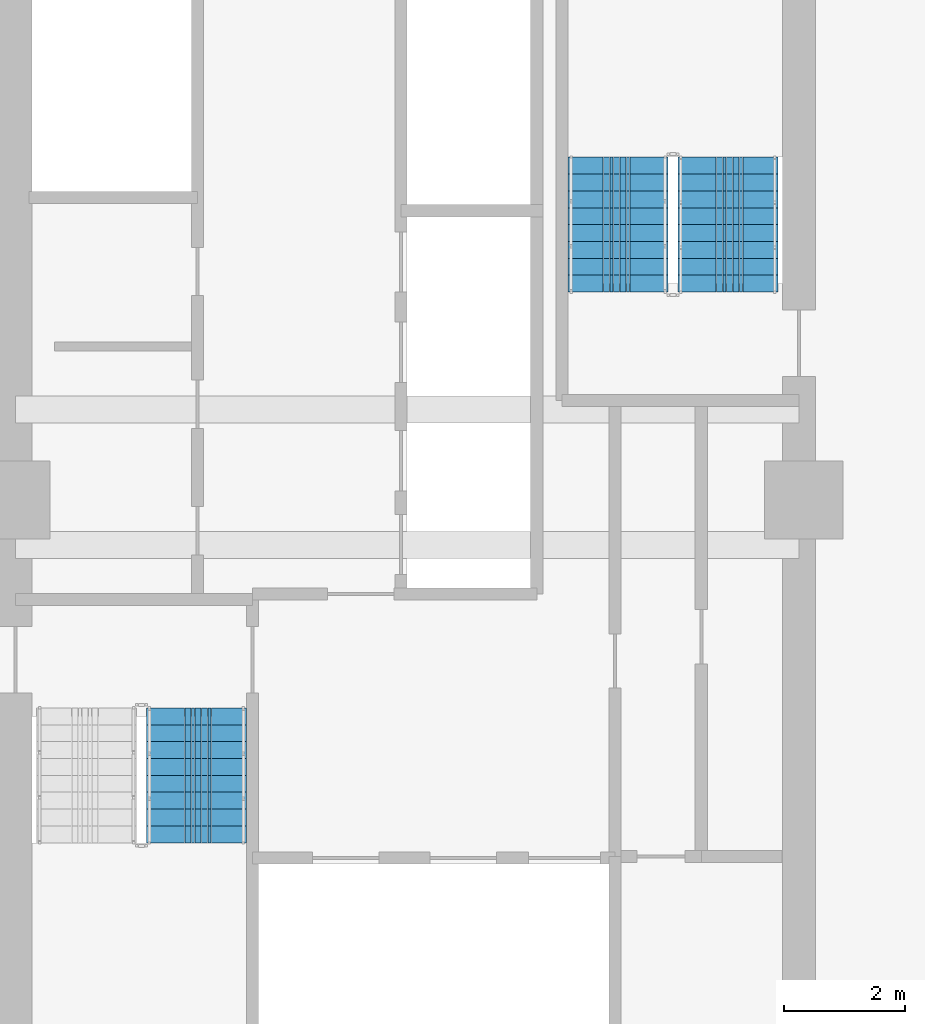
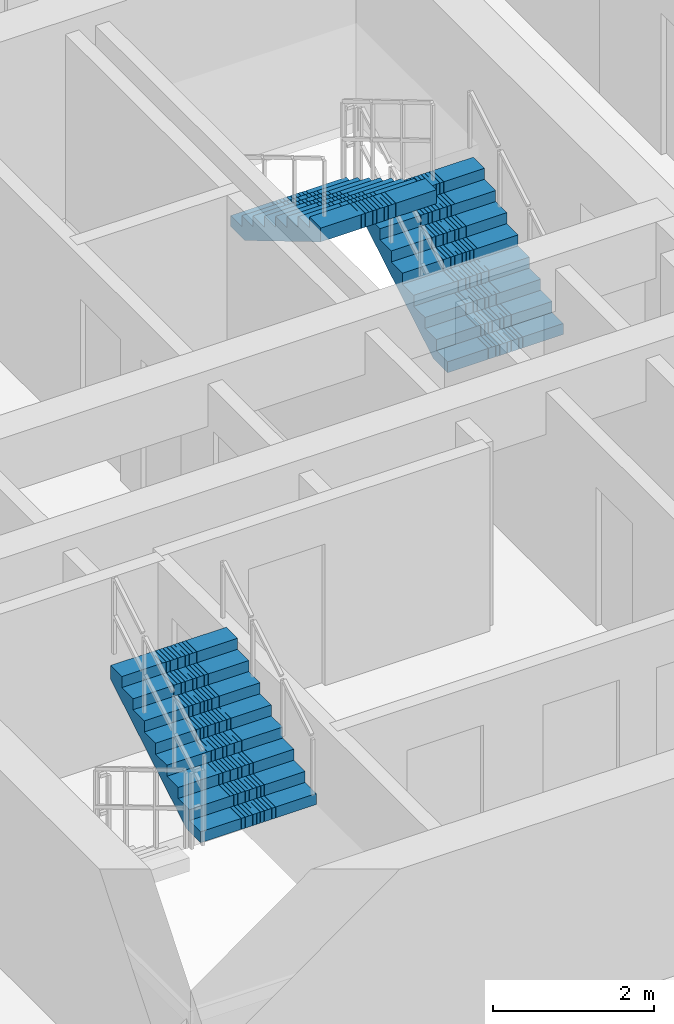
# One storey, part 9 of 13: 3 stair flights, 2 elements without a shape of their own.
"""IFC4 building model written with IfcOpenShell, lengths in metres."""

from ifc_helpers import new_model, si_unit, direction, frame, origin, place, context, subcontext, project, spatial, polyline, outline, extrude, material, type_object, element, aggregate, save


model = new_model("IFC4")

# Units and contexts
model_context = context("Model", 3, precision=1e-05, world=origin(), true_north=direction((0.0, 1.0)))
body_context = subcontext(model_context, "Body", "Model", "MODEL_VIEW")
ifc_project = project(units=[si_unit("LENGTHUNIT", "METRE"), si_unit("AREAUNIT", "SQUARE_METRE"), si_unit("VOLUMEUNIT", "CUBIC_METRE"), si_unit("PLANEANGLEUNIT", "RADIAN"), si_unit("MASSUNIT", "GRAM", prefix="KILO")], contexts=[model_context])

# Site, building, storey
site_placement = place(None, origin())
site = spatial("IfcSite", under=ifc_project, at=site_placement, CompositionType="ELEMENT")
building_placement = place(site_placement, origin())
building = spatial("IfcBuilding", under=site, at=building_placement, Name="Saelheon Loggia Tower", CompositionType="ELEMENT")
storey_placement = place(building_placement, frame((0.0, 0.0, 104.85009765625)))
storey = spatial("IfcBuildingStorey", under=building, at=storey_placement, Name="L33", CompositionType="ELEMENT", Elevation=104.85009765625)

# Stair, stair flight
ifc_material = material(Name="Concrete C40/50", Category="concrete")
stair_type = type_object("IfcStairType", Name="Stair_Escape_Core", PredefinedType="HALF_TURN_STAIR", material=ifc_material)
stair_1_placement = place(storey_placement, origin())
stair_1 = element("IfcStair", 1, at=stair_1_placement, inside=storey, type_object=stair_type, Name="L33 Special Escape Stair ST1", PredefinedType="HALF_TURN_STAIR")
stair_flight_type = type_object("IfcStairFlightType", Name="StairFlight_Tower_1660", PredefinedType="STRAIGHT", material=ifc_material)
stair_flight_1_placement = place(storey_placement, frame((34.5, 21.31005859375, 1.5), z_axis=(0.0, 0.0, 1.0), x_axis=(0.0, 1.0, 0.0)))
stair_flight_1 = element("IfcStairFlight", 2, at=stair_flight_1_placement, type_object=stair_flight_type, Name="ST1 flight 2", NumberOfRisers=9, NumberOfTreads=8, PredefinedType="STRAIGHT", RiserHeight=0.166666667, TreadLength=0.28, context=body_context, shape_type="SweptSolid", body=[
    extrude(outline(polyline([(0.0, 0.0), (0.0, 0.166748046875), (0.280029296875, 0.166748046875), (0.280029296875, 0.333251953125), (0.56005859375, 0.333251953125), (0.56005859375, 0.5), (0.840087890625, 0.5), (0.840087890625, 0.666748046875), (1.1201171875, 0.666748046875), (1.1201171875, 0.833251953125), (1.39990234375, 0.833251953125), (1.39990234375, 1.0), (1.679931640625, 1.0), (1.679931640625, 1.166748046875), (1.9599609375, 1.166748046875), (1.9599609375, 1.333251953125), (2.239990234375, 1.333251953125), (2.239990234375, 1.5), (2.239990234375, 1.1240234375), (0.351806640625, 0.0), (0.0, 0.0)])), frame((0.0, -0.2490234375, 0.0), z_axis=(0.0, -1.0, 0.0), x_axis=(1.0, 0.0, 0.0)), (0.0, 0.0, 1.0), 0.5810546875),
    extrude(outline(polyline([(0.0, 0.0), (0.0, 0.166748046875), (0.280029296875, 0.166748046875), (0.280029296875, 0.333251953125), (0.56005859375, 0.333251953125), (0.56005859375, 0.5), (0.840087890625, 0.5), (0.840087890625, 0.666748046875), (1.1201171875, 0.666748046875), (1.1201171875, 0.833251953125), (1.39990234375, 0.833251953125), (1.39990234375, 1.0), (1.679931640625, 1.0), (1.679931640625, 1.166748046875), (1.9599609375, 1.166748046875), (1.9599609375, 1.333251953125), (2.239990234375, 1.333251953125), (2.239990234375, 1.5), (2.239990234375, 1.1240234375), (0.351806640625, 0.0), (0.0, 0.0)])), frame((0.0, -0.194091796875, 0.0), z_axis=(0.0, -1.0, 0.0), x_axis=(1.0, 0.0, 0.0)), (0.0, 0.0, 1.0), 0.0498046875),
    extrude(outline(polyline([(0.0, 0.0), (0.0, 0.166748046875), (0.280029296875, 0.166748046875), (0.280029296875, 0.333251953125), (0.56005859375, 0.333251953125), (0.56005859375, 0.5), (0.840087890625, 0.5), (0.840087890625, 0.666748046875), (1.1201171875, 0.666748046875), (1.1201171875, 0.833251953125), (1.39990234375, 0.833251953125), (1.39990234375, 1.0), (1.679931640625, 1.0), (1.679931640625, 1.166748046875), (1.9599609375, 1.166748046875), (1.9599609375, 1.333251953125), (2.239990234375, 1.333251953125), (2.239990234375, 1.5), (2.239990234375, 1.1240234375), (0.351806640625, 0.0), (0.0, 0.0)])), frame((0.0, -0.139404296875, 0.0), z_axis=(0.0, -1.0, 0.0), x_axis=(1.0, 0.0, 0.0)), (0.0, 0.0, 1.0), 0.0498046875),
    extrude(outline(polyline([(0.0, 0.0), (0.0, 0.166748046875), (0.280029296875, 0.166748046875), (0.280029296875, 0.333251953125), (0.56005859375, 0.333251953125), (0.56005859375, 0.5), (0.840087890625, 0.5), (0.840087890625, 0.666748046875), (1.1201171875, 0.666748046875), (1.1201171875, 0.833251953125), (1.39990234375, 0.833251953125), (1.39990234375, 1.0), (1.679931640625, 1.0), (1.679931640625, 1.166748046875), (1.9599609375, 1.166748046875), (1.9599609375, 1.333251953125), (2.239990234375, 1.333251953125), (2.239990234375, 1.5), (2.239990234375, 1.1240234375), (0.351806640625, 0.0), (0.0, 0.0)])), frame((0.0, -0.084716796875, 0.0), z_axis=(0.0, -1.0, 0.0), x_axis=(1.0, 0.0, 0.0)), (0.0, 0.0, 1.0), 0.0498046875),
    extrude(outline(polyline([(0.0, 0.0), (0.0, 0.166748046875), (0.280029296875, 0.166748046875), (0.280029296875, 0.333251953125), (0.56005859375, 0.333251953125), (0.56005859375, 0.5), (0.840087890625, 0.5), (0.840087890625, 0.666748046875), (1.1201171875, 0.666748046875), (1.1201171875, 0.833251953125), (1.39990234375, 0.833251953125), (1.39990234375, 1.0), (1.679931640625, 1.0), (1.679931640625, 1.166748046875), (1.9599609375, 1.166748046875), (1.9599609375, 1.333251953125), (2.239990234375, 1.333251953125), (2.239990234375, 1.5), (2.239990234375, 1.1240234375), (0.351806640625, 0.0), (0.0, 0.0)])), frame((0.0, -0.02978515625, 0.0), z_axis=(0.0, -1.0, 0.0), x_axis=(1.0, 0.0, 0.0)), (0.0, 0.0, 1.0), 0.0498046875),
    extrude(outline(polyline([(0.0, 0.0), (0.0, 0.166748046875), (0.280029296875, 0.166748046875), (0.280029296875, 0.333251953125), (0.56005859375, 0.333251953125), (0.56005859375, 0.5), (0.840087890625, 0.5), (0.840087890625, 0.666748046875), (1.1201171875, 0.666748046875), (1.1201171875, 0.833251953125), (1.39990234375, 0.833251953125), (1.39990234375, 1.0), (1.679931640625, 1.0), (1.679931640625, 1.166748046875), (1.9599609375, 1.166748046875), (1.9599609375, 1.333251953125), (2.239990234375, 1.333251953125), (2.239990234375, 1.5), (2.239990234375, 1.1240234375), (0.351806640625, 0.0), (0.0, 0.0)])), frame((0.0, 0.02490234375, 0.0), z_axis=(0.0, -1.0, 0.0), x_axis=(1.0, 0.0, 0.0)), (0.0, 0.0, 1.0), 0.0498046875),
    extrude(outline(polyline([(0.0, 0.0), (0.0, 0.166748046875), (0.280029296875, 0.166748046875), (0.280029296875, 0.333251953125), (0.56005859375, 0.333251953125), (0.56005859375, 0.5), (0.840087890625, 0.5), (0.840087890625, 0.666748046875), (1.1201171875, 0.666748046875), (1.1201171875, 0.833251953125), (1.39990234375, 0.833251953125), (1.39990234375, 1.0), (1.679931640625, 1.0), (1.679931640625, 1.166748046875), (1.9599609375, 1.166748046875), (1.9599609375, 1.333251953125), (2.239990234375, 1.333251953125), (2.239990234375, 1.5), (2.239990234375, 1.1240234375), (0.351806640625, 0.0), (0.0, 0.0)])), frame((0.0, 0.07958984375, 0.0), z_axis=(0.0, -1.0, 0.0), x_axis=(1.0, 0.0, 0.0)), (0.0, 0.0, 1.0), 0.0498046875),
    extrude(outline(polyline([(0.0, 0.0), (0.0, 0.166748046875), (0.280029296875, 0.166748046875), (0.280029296875, 0.333251953125), (0.56005859375, 0.333251953125), (0.56005859375, 0.5), (0.840087890625, 0.5), (0.840087890625, 0.666748046875), (1.1201171875, 0.666748046875), (1.1201171875, 0.833251953125), (1.39990234375, 0.833251953125), (1.39990234375, 1.0), (1.679931640625, 1.0), (1.679931640625, 1.166748046875), (1.9599609375, 1.166748046875), (1.9599609375, 1.333251953125), (2.239990234375, 1.333251953125), (2.239990234375, 1.5), (2.239990234375, 1.1240234375), (0.351806640625, 0.0), (0.0, 0.0)])), frame((0.0, 0.134521484375, 0.0), z_axis=(0.0, -1.0, 0.0), x_axis=(1.0, 0.0, 0.0)), (0.0, 0.0, 1.0), 0.0498046875),
    extrude(outline(polyline([(0.0, 0.0), (0.0, 0.166748046875), (0.280029296875, 0.166748046875), (0.280029296875, 0.333251953125), (0.56005859375, 0.333251953125), (0.56005859375, 0.5), (0.840087890625, 0.5), (0.840087890625, 0.666748046875), (1.1201171875, 0.666748046875), (1.1201171875, 0.833251953125), (1.39990234375, 0.833251953125), (1.39990234375, 1.0), (1.679931640625, 1.0), (1.679931640625, 1.166748046875), (1.9599609375, 1.166748046875), (1.9599609375, 1.333251953125), (2.239990234375, 1.333251953125), (2.239990234375, 1.5), (2.239990234375, 1.1240234375), (0.351806640625, 0.0), (0.0, 0.0)])), frame((0.0, 0.189208984375, 0.0), z_axis=(0.0, -1.0, 0.0), x_axis=(1.0, 0.0, 0.0)), (0.0, 0.0, 1.0), 0.0498046875),
    extrude(outline(polyline([(0.0, 0.0), (0.0, 0.166748046875), (0.280029296875, 0.166748046875), (0.280029296875, 0.333251953125), (0.56005859375, 0.333251953125), (0.56005859375, 0.5), (0.840087890625, 0.5), (0.840087890625, 0.666748046875), (1.1201171875, 0.666748046875), (1.1201171875, 0.833251953125), (1.39990234375, 0.833251953125), (1.39990234375, 1.0), (1.679931640625, 1.0), (1.679931640625, 1.166748046875), (1.9599609375, 1.166748046875), (1.9599609375, 1.333251953125), (2.239990234375, 1.333251953125), (2.239990234375, 1.5), (2.239990234375, 1.1240234375), (0.351806640625, 0.0), (0.0, 0.0)])), frame((0.0, 0.243896484375, 0.0), z_axis=(0.0, -1.0, 0.0), x_axis=(1.0, 0.0, 0.0)), (0.0, 0.0, 1.0), 0.0498046875),
    extrude(outline(polyline([(0.0, 0.0), (0.0, 0.166748046875), (0.280029296875, 0.166748046875), (0.280029296875, 0.333251953125), (0.56005859375, 0.333251953125), (0.56005859375, 0.5), (0.840087890625, 0.5), (0.840087890625, 0.666748046875), (1.1201171875, 0.666748046875), (1.1201171875, 0.833251953125), (1.39990234375, 0.833251953125), (1.39990234375, 1.0), (1.679931640625, 1.0), (1.679931640625, 1.166748046875), (1.9599609375, 1.166748046875), (1.9599609375, 1.333251953125), (2.239990234375, 1.333251953125), (2.239990234375, 1.5), (2.239990234375, 1.1240234375), (0.351806640625, 0.0), (0.0, 0.0)])), frame((0.0, 0.830078125, 0.0), z_axis=(0.0, -1.0, 0.0), x_axis=(1.0, 0.0, 0.0)), (0.0, 0.0, 1.0), 0.5810546875),
])
aggregate(stair_1, [stair_flight_1])

# Stair, stair flights
stair_2_placement = place(storey_placement, origin())
stair_2 = element("IfcStair", 3, at=stair_2_placement, inside=storey, type_object=stair_type, Name="L33 Special Escape Stair ST2", PredefinedType="HALF_TURN_STAIR")
stair_flight_2_placement = place(storey_placement, frame((43.320068359375, 30.449951171875, 0.0), z_axis=(0.0, 0.0, 1.0), x_axis=(0.0, 1.0, 0.0)))
stair_flight_2 = element("IfcStairFlight", 4, at=stair_flight_2_placement, type_object=stair_flight_type, Name="ST2 flight 1", NumberOfRisers=9, NumberOfTreads=8, PredefinedType="STRAIGHT", RiserHeight=0.166666667, TreadLength=0.28, context=body_context, shape_type="SweptSolid", body=[
    extrude(outline(polyline([(0.0, 0.0), (0.0, 0.166748046875), (0.280029296875, 0.166748046875), (0.280029296875, 0.333251953125), (0.56005859375, 0.333251953125), (0.56005859375, 0.5), (0.840087890625, 0.5), (0.840087890625, 0.666748046875), (1.1201171875, 0.666748046875), (1.1201171875, 0.833251953125), (1.39990234375, 0.833251953125), (1.39990234375, 1.0), (1.679931640625, 1.0), (1.679931640625, 1.166748046875), (1.9599609375, 1.166748046875), (1.9599609375, 1.333251953125), (2.239990234375, 1.333251953125), (2.239990234375, 1.5), (2.239990234375, 1.1240234375), (0.351806640625, 0.0), (0.0, 0.0)])), frame((0.0, -0.2490234375, 0.0), z_axis=(0.0, -1.0, 0.0), x_axis=(1.0, 0.0, 0.0)), (0.0, 0.0, 1.0), 0.5810546875),
    extrude(outline(polyline([(0.0, 0.0), (0.0, 0.166748046875), (0.280029296875, 0.166748046875), (0.280029296875, 0.333251953125), (0.56005859375, 0.333251953125), (0.56005859375, 0.5), (0.840087890625, 0.5), (0.840087890625, 0.666748046875), (1.1201171875, 0.666748046875), (1.1201171875, 0.833251953125), (1.39990234375, 0.833251953125), (1.39990234375, 1.0), (1.679931640625, 1.0), (1.679931640625, 1.166748046875), (1.9599609375, 1.166748046875), (1.9599609375, 1.333251953125), (2.239990234375, 1.333251953125), (2.239990234375, 1.5), (2.239990234375, 1.1240234375), (0.351806640625, 0.0), (0.0, 0.0)])), frame((0.0, -0.194091796875, 0.0), z_axis=(0.0, -1.0, 0.0), x_axis=(1.0, 0.0, 0.0)), (0.0, 0.0, 1.0), 0.0498046875),
    extrude(outline(polyline([(0.0, 0.0), (0.0, 0.166748046875), (0.280029296875, 0.166748046875), (0.280029296875, 0.333251953125), (0.56005859375, 0.333251953125), (0.56005859375, 0.5), (0.840087890625, 0.5), (0.840087890625, 0.666748046875), (1.1201171875, 0.666748046875), (1.1201171875, 0.833251953125), (1.39990234375, 0.833251953125), (1.39990234375, 1.0), (1.679931640625, 1.0), (1.679931640625, 1.166748046875), (1.9599609375, 1.166748046875), (1.9599609375, 1.333251953125), (2.239990234375, 1.333251953125), (2.239990234375, 1.5), (2.239990234375, 1.1240234375), (0.351806640625, 0.0), (0.0, 0.0)])), frame((0.0, -0.139404296875, 0.0), z_axis=(0.0, -1.0, 0.0), x_axis=(1.0, 0.0, 0.0)), (0.0, 0.0, 1.0), 0.0498046875),
    extrude(outline(polyline([(0.0, 0.0), (0.0, 0.166748046875), (0.280029296875, 0.166748046875), (0.280029296875, 0.333251953125), (0.56005859375, 0.333251953125), (0.56005859375, 0.5), (0.840087890625, 0.5), (0.840087890625, 0.666748046875), (1.1201171875, 0.666748046875), (1.1201171875, 0.833251953125), (1.39990234375, 0.833251953125), (1.39990234375, 1.0), (1.679931640625, 1.0), (1.679931640625, 1.166748046875), (1.9599609375, 1.166748046875), (1.9599609375, 1.333251953125), (2.239990234375, 1.333251953125), (2.239990234375, 1.5), (2.239990234375, 1.1240234375), (0.351806640625, 0.0), (0.0, 0.0)])), frame((0.0, -0.084716796875, 0.0), z_axis=(0.0, -1.0, 0.0), x_axis=(1.0, 0.0, 0.0)), (0.0, 0.0, 1.0), 0.0498046875),
    extrude(outline(polyline([(0.0, 0.0), (0.0, 0.166748046875), (0.280029296875, 0.166748046875), (0.280029296875, 0.333251953125), (0.56005859375, 0.333251953125), (0.56005859375, 0.5), (0.840087890625, 0.5), (0.840087890625, 0.666748046875), (1.1201171875, 0.666748046875), (1.1201171875, 0.833251953125), (1.39990234375, 0.833251953125), (1.39990234375, 1.0), (1.679931640625, 1.0), (1.679931640625, 1.166748046875), (1.9599609375, 1.166748046875), (1.9599609375, 1.333251953125), (2.239990234375, 1.333251953125), (2.239990234375, 1.5), (2.239990234375, 1.1240234375), (0.351806640625, 0.0), (0.0, 0.0)])), frame((0.0, -0.02978515625, 0.0), z_axis=(0.0, -1.0, 0.0), x_axis=(1.0, 0.0, 0.0)), (0.0, 0.0, 1.0), 0.0498046875),
    extrude(outline(polyline([(0.0, 0.0), (0.0, 0.166748046875), (0.280029296875, 0.166748046875), (0.280029296875, 0.333251953125), (0.56005859375, 0.333251953125), (0.56005859375, 0.5), (0.840087890625, 0.5), (0.840087890625, 0.666748046875), (1.1201171875, 0.666748046875), (1.1201171875, 0.833251953125), (1.39990234375, 0.833251953125), (1.39990234375, 1.0), (1.679931640625, 1.0), (1.679931640625, 1.166748046875), (1.9599609375, 1.166748046875), (1.9599609375, 1.333251953125), (2.239990234375, 1.333251953125), (2.239990234375, 1.5), (2.239990234375, 1.1240234375), (0.351806640625, 0.0), (0.0, 0.0)])), frame((0.0, 0.02490234375, 0.0), z_axis=(0.0, -1.0, 0.0), x_axis=(1.0, 0.0, 0.0)), (0.0, 0.0, 1.0), 0.0498046875),
    extrude(outline(polyline([(0.0, 0.0), (0.0, 0.166748046875), (0.280029296875, 0.166748046875), (0.280029296875, 0.333251953125), (0.56005859375, 0.333251953125), (0.56005859375, 0.5), (0.840087890625, 0.5), (0.840087890625, 0.666748046875), (1.1201171875, 0.666748046875), (1.1201171875, 0.833251953125), (1.39990234375, 0.833251953125), (1.39990234375, 1.0), (1.679931640625, 1.0), (1.679931640625, 1.166748046875), (1.9599609375, 1.166748046875), (1.9599609375, 1.333251953125), (2.239990234375, 1.333251953125), (2.239990234375, 1.5), (2.239990234375, 1.1240234375), (0.351806640625, 0.0), (0.0, 0.0)])), frame((0.0, 0.07958984375, 0.0), z_axis=(0.0, -1.0, 0.0), x_axis=(1.0, 0.0, 0.0)), (0.0, 0.0, 1.0), 0.0498046875),
    extrude(outline(polyline([(0.0, 0.0), (0.0, 0.166748046875), (0.280029296875, 0.166748046875), (0.280029296875, 0.333251953125), (0.56005859375, 0.333251953125), (0.56005859375, 0.5), (0.840087890625, 0.5), (0.840087890625, 0.666748046875), (1.1201171875, 0.666748046875), (1.1201171875, 0.833251953125), (1.39990234375, 0.833251953125), (1.39990234375, 1.0), (1.679931640625, 1.0), (1.679931640625, 1.166748046875), (1.9599609375, 1.166748046875), (1.9599609375, 1.333251953125), (2.239990234375, 1.333251953125), (2.239990234375, 1.5), (2.239990234375, 1.1240234375), (0.351806640625, 0.0), (0.0, 0.0)])), frame((0.0, 0.134521484375, 0.0), z_axis=(0.0, -1.0, 0.0), x_axis=(1.0, 0.0, 0.0)), (0.0, 0.0, 1.0), 0.0498046875),
    extrude(outline(polyline([(0.0, 0.0), (0.0, 0.166748046875), (0.280029296875, 0.166748046875), (0.280029296875, 0.333251953125), (0.56005859375, 0.333251953125), (0.56005859375, 0.5), (0.840087890625, 0.5), (0.840087890625, 0.666748046875), (1.1201171875, 0.666748046875), (1.1201171875, 0.833251953125), (1.39990234375, 0.833251953125), (1.39990234375, 1.0), (1.679931640625, 1.0), (1.679931640625, 1.166748046875), (1.9599609375, 1.166748046875), (1.9599609375, 1.333251953125), (2.239990234375, 1.333251953125), (2.239990234375, 1.5), (2.239990234375, 1.1240234375), (0.351806640625, 0.0), (0.0, 0.0)])), frame((0.0, 0.189208984375, 0.0), z_axis=(0.0, -1.0, 0.0), x_axis=(1.0, 0.0, 0.0)), (0.0, 0.0, 1.0), 0.0498046875),
    extrude(outline(polyline([(0.0, 0.0), (0.0, 0.166748046875), (0.280029296875, 0.166748046875), (0.280029296875, 0.333251953125), (0.56005859375, 0.333251953125), (0.56005859375, 0.5), (0.840087890625, 0.5), (0.840087890625, 0.666748046875), (1.1201171875, 0.666748046875), (1.1201171875, 0.833251953125), (1.39990234375, 0.833251953125), (1.39990234375, 1.0), (1.679931640625, 1.0), (1.679931640625, 1.166748046875), (1.9599609375, 1.166748046875), (1.9599609375, 1.333251953125), (2.239990234375, 1.333251953125), (2.239990234375, 1.5), (2.239990234375, 1.1240234375), (0.351806640625, 0.0), (0.0, 0.0)])), frame((0.0, 0.243896484375, 0.0), z_axis=(0.0, -1.0, 0.0), x_axis=(1.0, 0.0, 0.0)), (0.0, 0.0, 1.0), 0.0498046875),
    extrude(outline(polyline([(0.0, 0.0), (0.0, 0.166748046875), (0.280029296875, 0.166748046875), (0.280029296875, 0.333251953125), (0.56005859375, 0.333251953125), (0.56005859375, 0.5), (0.840087890625, 0.5), (0.840087890625, 0.666748046875), (1.1201171875, 0.666748046875), (1.1201171875, 0.833251953125), (1.39990234375, 0.833251953125), (1.39990234375, 1.0), (1.679931640625, 1.0), (1.679931640625, 1.166748046875), (1.9599609375, 1.166748046875), (1.9599609375, 1.333251953125), (2.239990234375, 1.333251953125), (2.239990234375, 1.5), (2.239990234375, 1.1240234375), (0.351806640625, 0.0), (0.0, 0.0)])), frame((0.0, 0.830078125, 0.0), z_axis=(0.0, -1.0, 0.0), x_axis=(1.0, 0.0, 0.0)), (0.0, 0.0, 1.0), 0.5810546875),
])
stair_flight_3_placement = place(storey_placement, frame((41.5, 32.68994140625, 1.5), z_axis=(0.0, 0.0, 1.0), x_axis=(0.0, -1.0, 0.0)))
stair_flight_3 = element("IfcStairFlight", 5, at=stair_flight_3_placement, type_object=stair_flight_type, Name="ST2 flight 2", NumberOfRisers=9, NumberOfTreads=8, PredefinedType="STRAIGHT", RiserHeight=0.166666667, TreadLength=0.28, context=body_context, shape_type="SweptSolid", body=[
    extrude(outline(polyline([(0.0, 0.0), (0.0, 0.166748046875), (0.280029296875, 0.166748046875), (0.280029296875, 0.333251953125), (0.56005859375, 0.333251953125), (0.56005859375, 0.5), (0.840087890625, 0.5), (0.840087890625, 0.666748046875), (1.1201171875, 0.666748046875), (1.1201171875, 0.833251953125), (1.39990234375, 0.833251953125), (1.39990234375, 1.0), (1.679931640625, 1.0), (1.679931640625, 1.166748046875), (1.9599609375, 1.166748046875), (1.9599609375, 1.333251953125), (2.239990234375, 1.333251953125), (2.239990234375, 1.5), (2.239990234375, 1.1240234375), (0.351806640625, 0.0), (0.0, 0.0)])), frame((0.0, -0.2490234375, 0.0), z_axis=(0.0, -1.0, 0.0), x_axis=(1.0, 0.0, 0.0)), (0.0, 0.0, 1.0), 0.5810546875),
    extrude(outline(polyline([(0.0, 0.0), (0.0, 0.166748046875), (0.280029296875, 0.166748046875), (0.280029296875, 0.333251953125), (0.56005859375, 0.333251953125), (0.56005859375, 0.5), (0.840087890625, 0.5), (0.840087890625, 0.666748046875), (1.1201171875, 0.666748046875), (1.1201171875, 0.833251953125), (1.39990234375, 0.833251953125), (1.39990234375, 1.0), (1.679931640625, 1.0), (1.679931640625, 1.166748046875), (1.9599609375, 1.166748046875), (1.9599609375, 1.333251953125), (2.239990234375, 1.333251953125), (2.239990234375, 1.5), (2.239990234375, 1.1240234375), (0.351806640625, 0.0), (0.0, 0.0)])), frame((0.0, -0.194091796875, 0.0), z_axis=(0.0, -1.0, 0.0), x_axis=(1.0, 0.0, 0.0)), (0.0, 0.0, 1.0), 0.0498046875),
    extrude(outline(polyline([(0.0, 0.0), (0.0, 0.166748046875), (0.280029296875, 0.166748046875), (0.280029296875, 0.333251953125), (0.56005859375, 0.333251953125), (0.56005859375, 0.5), (0.840087890625, 0.5), (0.840087890625, 0.666748046875), (1.1201171875, 0.666748046875), (1.1201171875, 0.833251953125), (1.39990234375, 0.833251953125), (1.39990234375, 1.0), (1.679931640625, 1.0), (1.679931640625, 1.166748046875), (1.9599609375, 1.166748046875), (1.9599609375, 1.333251953125), (2.239990234375, 1.333251953125), (2.239990234375, 1.5), (2.239990234375, 1.1240234375), (0.351806640625, 0.0), (0.0, 0.0)])), frame((0.0, -0.139404296875, 0.0), z_axis=(0.0, -1.0, 0.0), x_axis=(1.0, 0.0, 0.0)), (0.0, 0.0, 1.0), 0.0498046875),
    extrude(outline(polyline([(0.0, 0.0), (0.0, 0.166748046875), (0.280029296875, 0.166748046875), (0.280029296875, 0.333251953125), (0.56005859375, 0.333251953125), (0.56005859375, 0.5), (0.840087890625, 0.5), (0.840087890625, 0.666748046875), (1.1201171875, 0.666748046875), (1.1201171875, 0.833251953125), (1.39990234375, 0.833251953125), (1.39990234375, 1.0), (1.679931640625, 1.0), (1.679931640625, 1.166748046875), (1.9599609375, 1.166748046875), (1.9599609375, 1.333251953125), (2.239990234375, 1.333251953125), (2.239990234375, 1.5), (2.239990234375, 1.1240234375), (0.351806640625, 0.0), (0.0, 0.0)])), frame((0.0, -0.084716796875, 0.0), z_axis=(0.0, -1.0, 0.0), x_axis=(1.0, 0.0, 0.0)), (0.0, 0.0, 1.0), 0.0498046875),
    extrude(outline(polyline([(0.0, 0.0), (0.0, 0.166748046875), (0.280029296875, 0.166748046875), (0.280029296875, 0.333251953125), (0.56005859375, 0.333251953125), (0.56005859375, 0.5), (0.840087890625, 0.5), (0.840087890625, 0.666748046875), (1.1201171875, 0.666748046875), (1.1201171875, 0.833251953125), (1.39990234375, 0.833251953125), (1.39990234375, 1.0), (1.679931640625, 1.0), (1.679931640625, 1.166748046875), (1.9599609375, 1.166748046875), (1.9599609375, 1.333251953125), (2.239990234375, 1.333251953125), (2.239990234375, 1.5), (2.239990234375, 1.1240234375), (0.351806640625, 0.0), (0.0, 0.0)])), frame((0.0, -0.02978515625, 0.0), z_axis=(0.0, -1.0, 0.0), x_axis=(1.0, 0.0, 0.0)), (0.0, 0.0, 1.0), 0.0498046875),
    extrude(outline(polyline([(0.0, 0.0), (0.0, 0.166748046875), (0.280029296875, 0.166748046875), (0.280029296875, 0.333251953125), (0.56005859375, 0.333251953125), (0.56005859375, 0.5), (0.840087890625, 0.5), (0.840087890625, 0.666748046875), (1.1201171875, 0.666748046875), (1.1201171875, 0.833251953125), (1.39990234375, 0.833251953125), (1.39990234375, 1.0), (1.679931640625, 1.0), (1.679931640625, 1.166748046875), (1.9599609375, 1.166748046875), (1.9599609375, 1.333251953125), (2.239990234375, 1.333251953125), (2.239990234375, 1.5), (2.239990234375, 1.1240234375), (0.351806640625, 0.0), (0.0, 0.0)])), frame((0.0, 0.02490234375, 0.0), z_axis=(0.0, -1.0, 0.0), x_axis=(1.0, 0.0, 0.0)), (0.0, 0.0, 1.0), 0.0498046875),
    extrude(outline(polyline([(0.0, 0.0), (0.0, 0.166748046875), (0.280029296875, 0.166748046875), (0.280029296875, 0.333251953125), (0.56005859375, 0.333251953125), (0.56005859375, 0.5), (0.840087890625, 0.5), (0.840087890625, 0.666748046875), (1.1201171875, 0.666748046875), (1.1201171875, 0.833251953125), (1.39990234375, 0.833251953125), (1.39990234375, 1.0), (1.679931640625, 1.0), (1.679931640625, 1.166748046875), (1.9599609375, 1.166748046875), (1.9599609375, 1.333251953125), (2.239990234375, 1.333251953125), (2.239990234375, 1.5), (2.239990234375, 1.1240234375), (0.351806640625, 0.0), (0.0, 0.0)])), frame((0.0, 0.07958984375, 0.0), z_axis=(0.0, -1.0, 0.0), x_axis=(1.0, 0.0, 0.0)), (0.0, 0.0, 1.0), 0.0498046875),
    extrude(outline(polyline([(0.0, 0.0), (0.0, 0.166748046875), (0.280029296875, 0.166748046875), (0.280029296875, 0.333251953125), (0.56005859375, 0.333251953125), (0.56005859375, 0.5), (0.840087890625, 0.5), (0.840087890625, 0.666748046875), (1.1201171875, 0.666748046875), (1.1201171875, 0.833251953125), (1.39990234375, 0.833251953125), (1.39990234375, 1.0), (1.679931640625, 1.0), (1.679931640625, 1.166748046875), (1.9599609375, 1.166748046875), (1.9599609375, 1.333251953125), (2.239990234375, 1.333251953125), (2.239990234375, 1.5), (2.239990234375, 1.1240234375), (0.351806640625, 0.0), (0.0, 0.0)])), frame((0.0, 0.134521484375, 0.0), z_axis=(0.0, -1.0, 0.0), x_axis=(1.0, 0.0, 0.0)), (0.0, 0.0, 1.0), 0.0498046875),
    extrude(outline(polyline([(0.0, 0.0), (0.0, 0.166748046875), (0.280029296875, 0.166748046875), (0.280029296875, 0.333251953125), (0.56005859375, 0.333251953125), (0.56005859375, 0.5), (0.840087890625, 0.5), (0.840087890625, 0.666748046875), (1.1201171875, 0.666748046875), (1.1201171875, 0.833251953125), (1.39990234375, 0.833251953125), (1.39990234375, 1.0), (1.679931640625, 1.0), (1.679931640625, 1.166748046875), (1.9599609375, 1.166748046875), (1.9599609375, 1.333251953125), (2.239990234375, 1.333251953125), (2.239990234375, 1.5), (2.239990234375, 1.1240234375), (0.351806640625, 0.0), (0.0, 0.0)])), frame((0.0, 0.189208984375, 0.0), z_axis=(0.0, -1.0, 0.0), x_axis=(1.0, 0.0, 0.0)), (0.0, 0.0, 1.0), 0.0498046875),
    extrude(outline(polyline([(0.0, 0.0), (0.0, 0.166748046875), (0.280029296875, 0.166748046875), (0.280029296875, 0.333251953125), (0.56005859375, 0.333251953125), (0.56005859375, 0.5), (0.840087890625, 0.5), (0.840087890625, 0.666748046875), (1.1201171875, 0.666748046875), (1.1201171875, 0.833251953125), (1.39990234375, 0.833251953125), (1.39990234375, 1.0), (1.679931640625, 1.0), (1.679931640625, 1.166748046875), (1.9599609375, 1.166748046875), (1.9599609375, 1.333251953125), (2.239990234375, 1.333251953125), (2.239990234375, 1.5), (2.239990234375, 1.1240234375), (0.351806640625, 0.0), (0.0, 0.0)])), frame((0.0, 0.243896484375, 0.0), z_axis=(0.0, -1.0, 0.0), x_axis=(1.0, 0.0, 0.0)), (0.0, 0.0, 1.0), 0.0498046875),
    extrude(outline(polyline([(0.0, 0.0), (0.0, 0.166748046875), (0.280029296875, 0.166748046875), (0.280029296875, 0.333251953125), (0.56005859375, 0.333251953125), (0.56005859375, 0.5), (0.840087890625, 0.5), (0.840087890625, 0.666748046875), (1.1201171875, 0.666748046875), (1.1201171875, 0.833251953125), (1.39990234375, 0.833251953125), (1.39990234375, 1.0), (1.679931640625, 1.0), (1.679931640625, 1.166748046875), (1.9599609375, 1.166748046875), (1.9599609375, 1.333251953125), (2.239990234375, 1.333251953125), (2.239990234375, 1.5), (2.239990234375, 1.1240234375), (0.351806640625, 0.0), (0.0, 0.0)])), frame((0.0, 0.830078125, 0.0), z_axis=(0.0, -1.0, 0.0), x_axis=(1.0, 0.0, 0.0)), (0.0, 0.0, 1.0), 0.5810546875),
])
aggregate(stair_2, [stair_flight_2, stair_flight_3])

save(model, "model.ifc")
